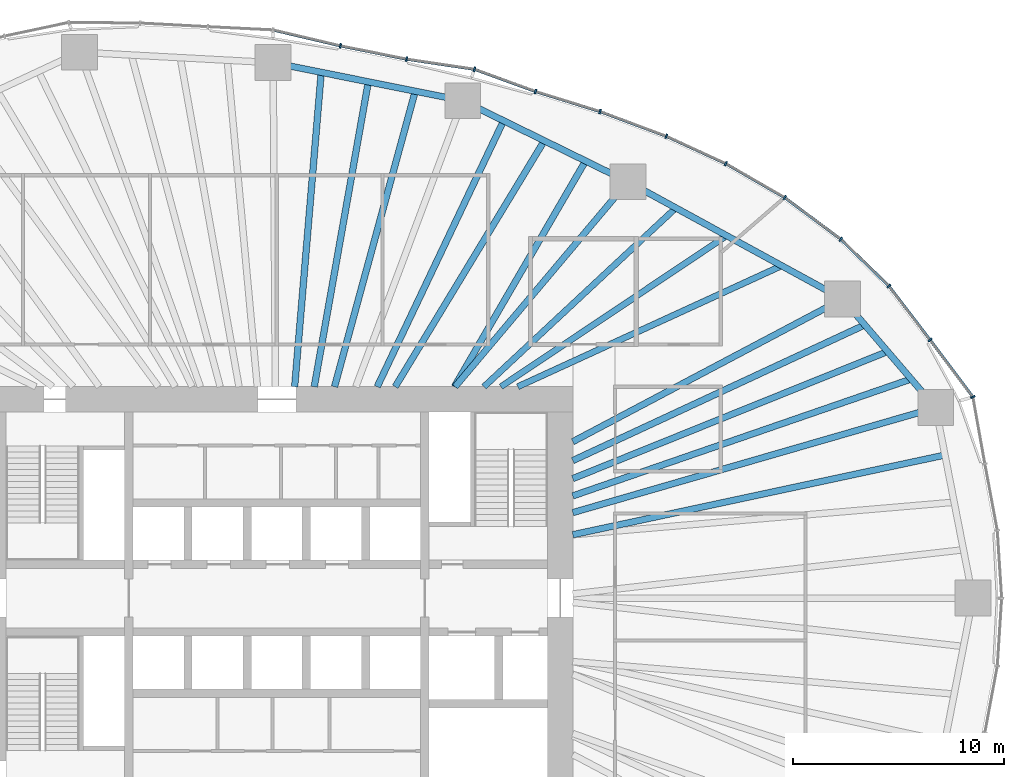
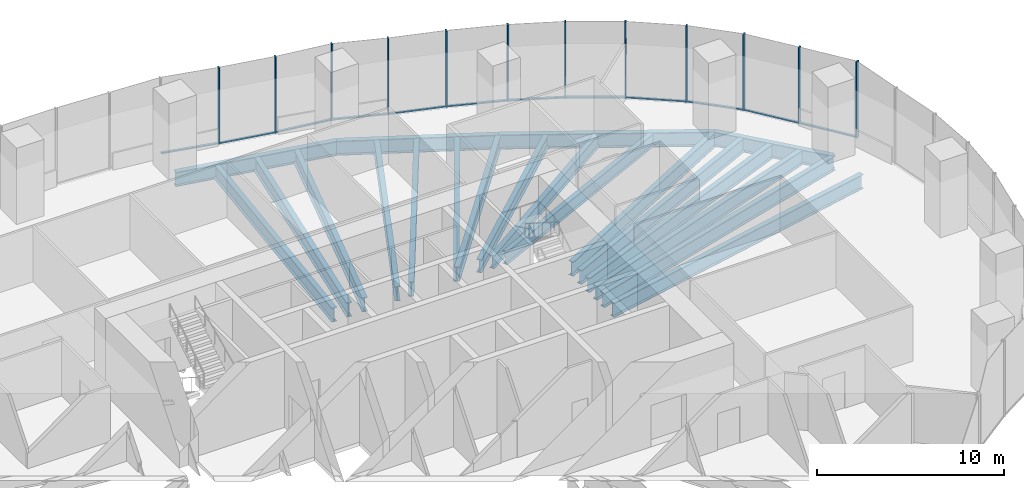
# One storey, part 6 of 20: 24 members, 20 beams, 4 elements without a shape of their own.
"""IFC4 building model written with IfcOpenShell, lengths in metres."""

from ifc_helpers import new_model, si_unit, direction, frame, origin, origin_2d, place, context, subcontext, project, spatial, rectangle, i_section, extrude, material, material_profile, profile_set, type_object, element, aggregate, save


model = new_model("IFC4")

# Units and contexts
model_context = context("Model", 3, precision=1e-05, world=origin(), true_north=direction((0.0, 1.0)))
body_context = subcontext(model_context, "Body", "Model", "MODEL_VIEW")
ifc_project = project(units=[si_unit("LENGTHUNIT", "METRE"), si_unit("AREAUNIT", "SQUARE_METRE"), si_unit("VOLUMEUNIT", "CUBIC_METRE"), si_unit("PLANEANGLEUNIT", "RADIAN"), si_unit("MASSUNIT", "GRAM", prefix="KILO")], contexts=[model_context])

# Site, building, storey
site_placement = place(None, origin())
site = spatial("IfcSite", under=ifc_project, at=site_placement, CompositionType="ELEMENT")
building_placement = place(site_placement, origin())
building = spatial("IfcBuilding", under=site, at=building_placement, Name="Ghaith Harvest Tower", CompositionType="ELEMENT")
storey_placement = place(building_placement, frame((0.0, 0.0, 90.0)))
storey = spatial("IfcBuildingStorey", under=building, at=storey_placement, Name="L18", CompositionType="ELEMENT", Elevation=90.0)

# Curtain wall, members
ifc_material_1 = material(Name="Black anodised aluminium and fritted glass", Category="aluminium")
curtain_wall_type = type_object("IfcCurtainWallType", Name="CW-F CURTAIN WALL", PredefinedType="NOTDEFINED", material=ifc_material_1)
curtain_wall_1_placement = place(storey_placement, origin())
curtain_wall_1 = element("IfcCurtainWall", 1, at=curtain_wall_1_placement, inside=storey, type_object=curtain_wall_type, Name="Curtain wall CW-F bay 02 L18", PredefinedType="NOTDEFINED")
ifc_material_2 = material(Name="Aluminium, black anodised", Category="aluminium")
ifc_material_profile_1 = material_profile(ifc_material_2, rectangle(XDim=0.080078125, YDim=0.219970703125, at=origin_2d()), Name="CW-F MULLION 80x220")
ifc_profile_set_1 = profile_set([ifc_material_profile_1], Name="Aluminium, black anodised")
member_type_1 = type_object("IfcMemberType", Name="CW-F MULLION 80x220", PredefinedType="MULLION", material=ifc_profile_set_1)
member_1_placement = place(storey_placement, frame((32.923583984375, 9.515625, 0.0), z_axis=(0.0, 0.0, 1.0), x_axis=(-0.404701693729, 0.914448762421, 0.0)))
member_1 = element("IfcMember", 2, at=member_1_placement, type_object=member_type_1, Name="CW-F mullion 1 bay 02 L18", PredefinedType="MULLION", context=body_context, shape_type="SweptSolid", body=[
    extrude(rectangle(XDim=0.080078125, YDim=0.219970703125, at=origin_2d()), origin(), (0.0, 0.0, 1.0), 5.0),
])
member_2_placement = place(storey_placement, frame((30.896728515625, 12.215087890625, 0.0), z_axis=(0.0, 0.0, 1.0), x_axis=(-0.603948315345, 0.797023482961, 0.0)))
member_2 = element("IfcMember", 3, at=member_2_placement, type_object=member_type_1, Name="CW-F mullion 2 bay 02 L18", PredefinedType="MULLION", context=body_context, shape_type="SweptSolid", body=[
    extrude(rectangle(XDim=0.080078125, YDim=0.219970703125, at=origin_2d()), origin(), (0.0, 0.0, 1.0), 5.0),
])
member_3_placement = place(storey_placement, frame((28.947021484375, 14.763427734375, 0.0), z_axis=(0.0, 0.0, 1.0), x_axis=(-0.663604797296, 0.748083332929, 0.0)))
member_3 = element("IfcMember", 4, at=member_3_placement, type_object=member_type_1, Name="CW-F mullion 3 bay 02 L18", PredefinedType="MULLION", context=body_context, shape_type="SweptSolid", body=[
    extrude(rectangle(XDim=0.080078125, YDim=0.219970703125, at=origin_2d()), origin(), (0.0, 0.0, 1.0), 5.0),
])

curtain_wall_2_placement = place(storey_placement, origin())
curtain_wall_2 = element("IfcCurtainWall", 5, at=curtain_wall_2_placement, inside=storey, type_object=curtain_wall_type, Name="Curtain wall CW-F bay 03 L18", PredefinedType="NOTDEFINED")
member_4_placement = place(storey_placement, frame((26.673828125, 16.9755859375, 0.0), z_axis=(0.0, 0.0, 1.0), x_axis=(-0.762365981091, 0.647146127915, 0.0)))
member_4 = element("IfcMember", 6, at=member_4_placement, type_object=member_type_1, Name="CW-F mullion 1 bay 03 L18", PredefinedType="MULLION", context=body_context, shape_type="SweptSolid", body=[
    extrude(rectangle(XDim=0.080078125, YDim=0.219970703125, at=origin_2d()), origin(), (0.0, 0.0, 1.0), 5.0),
])
member_5_placement = place(storey_placement, frame((24.018310546875, 18.947265625, 0.0), z_axis=(0.0, 0.0, 1.0), x_axis=(-0.835443516723, 0.549576318963, 0.0)))
member_5 = element("IfcMember", 7, at=member_5_placement, type_object=member_type_1, Name="CW-F mullion 2 bay 03 L18", PredefinedType="MULLION", context=body_context, shape_type="SweptSolid", body=[
    extrude(rectangle(XDim=0.080078125, YDim=0.219970703125, at=origin_2d()), origin(), (0.0, 0.0, 1.0), 5.0),
])
member_6_placement = place(storey_placement, frame((21.2353515625, 20.552978515625, 0.0), z_axis=(0.0, 0.0, 1.0), x_axis=(-0.887896671642, 0.460042933308, 0.0)))
member_6 = element("IfcMember", 8, at=member_6_placement, type_object=member_type_1, Name="CW-F mullion 3 bay 03 L18", PredefinedType="MULLION", context=body_context, shape_type="SweptSolid", body=[
    extrude(rectangle(XDim=0.080078125, YDim=0.219970703125, at=origin_2d()), origin(), (0.0, 0.0, 1.0), 5.0),
])

curtain_wall_3_placement = place(storey_placement, origin())
curtain_wall_3 = element("IfcCurtainWall", 9, at=curtain_wall_3_placement, inside=storey, type_object=curtain_wall_type, Name="Curtain wall CW-F bay 04 L18", PredefinedType="NOTDEFINED")
member_7_placement = place(storey_placement, frame((18.422607421875, 21.8466796875, 0.0), z_axis=(0.0, 0.0, 1.0), x_axis=(-0.923910199252, 0.382609387912, 0.0)))
member_7 = element("IfcMember", 10, at=member_7_placement, type_object=member_type_1, Name="CW-F mullion 1 bay 04 L18", PredefinedType="MULLION", context=body_context, shape_type="SweptSolid", body=[
    extrude(rectangle(XDim=0.080078125, YDim=0.219970703125, at=origin_2d()), origin(), (0.0, 0.0, 1.0), 5.0),
])
member_8_placement = place(storey_placement, frame((15.28759765625, 23.01611328125, 0.0), z_axis=(0.0, 0.0, 1.0), x_axis=(-0.946121020954, 0.323813238933, 0.0)))
member_8 = element("IfcMember", 11, at=member_8_placement, type_object=member_type_1, Name="CW-F mullion 2 bay 04 L18", PredefinedType="MULLION", context=body_context, shape_type="SweptSolid", body=[
    extrude(rectangle(XDim=0.080078125, YDim=0.219970703125, at=origin_2d()), origin(), (0.0, 0.0, 1.0), 5.0),
])
member_9_placement = place(storey_placement, frame((12.234375, 23.964599609375, 0.0), z_axis=(0.0, 0.0, 1.0), x_axis=(-0.947653438436, 0.319300736957, 0.0)))
member_9 = element("IfcMember", 12, at=member_9_placement, type_object=member_type_1, Name="CW-F mullion 3 bay 04 L18", PredefinedType="MULLION", context=body_context, shape_type="SweptSolid", body=[
    extrude(rectangle(XDim=0.080078125, YDim=0.219970703125, at=origin_2d()), origin(), (0.0, 0.0, 1.0), 5.0),
])

curtain_wall_4_placement = place(storey_placement, origin())
curtain_wall_4 = element("IfcCurtainWall", 13, at=curtain_wall_4_placement, inside=storey, type_object=curtain_wall_type, Name="Curtain wall CW-F bay 05 L18", PredefinedType="NOTDEFINED")
member_10_placement = place(storey_placement, frame((9.351806640625, 25.01611328125, 0.0), z_axis=(0.0, 0.0, 1.0), x_axis=(-0.969903429236, 0.243489913461, 0.0)))
member_10 = element("IfcMember", 14, at=member_10_placement, type_object=member_type_1, Name="CW-F mullion 1 bay 05 L18", PredefinedType="MULLION", context=body_context, shape_type="SweptSolid", body=[
    extrude(rectangle(XDim=0.080078125, YDim=0.219970703125, at=origin_2d()), origin(), (0.0, 0.0, 1.0), 5.0),
])
member_11_placement = place(storey_placement, frame((6.136962890625, 25.495361328125, 0.0), z_axis=(0.0, 0.0, 1.0), x_axis=(-0.985103843977, 0.171960508788, 0.0)))
member_11 = element("IfcMember", 15, at=member_11_placement, type_object=member_type_1, Name="CW-F mullion 2 bay 05 L18", PredefinedType="MULLION", context=body_context, shape_type="SweptSolid", body=[
    extrude(rectangle(XDim=0.080078125, YDim=0.219970703125, at=origin_2d()), origin(), (0.0, 0.0, 1.0), 5.0),
])
member_12_placement = place(storey_placement, frame((3.00927734375, 26.123291015625, 0.0), z_axis=(0.0, 0.0, 1.0), x_axis=(-0.976927332869, 0.213571969822, 0.0)))
member_12 = element("IfcMember", 16, at=member_12_placement, type_object=member_type_1, Name="CW-F mullion 3 bay 05 L18", PredefinedType="MULLION", context=body_context, shape_type="SweptSolid", body=[
    extrude(rectangle(XDim=0.080078125, YDim=0.219970703125, at=origin_2d()), origin(), (0.0, 0.0, 1.0), 5.0),
])

# Member
ifc_material_3 = material(Name="Aluminium, black anodised", Category="aluminium")
ifc_material_profile_2 = material_profile(ifc_material_3, rectangle(XDim=0.139892578125, YDim=0.080078125, at=origin_2d()), Name="CW-F TRANSOM 140x80")
ifc_profile_set_2 = profile_set([ifc_material_profile_2], Name="Aluminium, black anodised")
member_type_2 = type_object("IfcMemberType", Name="CW-F TRANSOM 140x80", PredefinedType="USERDEFINED", material=ifc_profile_set_2)
member_13_placement = place(storey_placement, frame((32.899658203125, 9.547607421875, 0.0400390625), z_axis=(-0.600462135687, 0.799653189581, 0.0), x_axis=(-0.799653189581, -0.600462135687, 0.0)))
member_13 = element("IfcMember", 17, at=member_13_placement, type_object=member_type_2, Name="CW-F transom 1 bay 02 L18", ObjectType="TRANSOM", PredefinedType="USERDEFINED", context=body_context, shape_type="SweptSolid", body=[
    extrude(rectangle(XDim=0.139892578125, YDim=0.080078125, at=origin_2d()), origin(), (0.0, 0.0, 1.0), 3.2958984375),
])

member_14_placement = place(storey_placement, frame((30.87255859375, 12.246826171875, 0.0400390625), z_axis=(-0.607638356471, 0.794213842579, 0.0), x_axis=(-0.794213842579, -0.607638356471, 0.0)))
member_14 = element("IfcMember", 18, at=member_14_placement, type_object=member_type_2, Name="CW-F transom 2 bay 02 L18", ObjectType="TRANSOM", PredefinedType="USERDEFINED", context=body_context, shape_type="SweptSolid", body=[
    extrude(rectangle(XDim=0.139892578125, YDim=0.080078125, at=origin_2d()), origin(), (0.0, 0.0, 1.0), 3.128662109375),
])

member_15_placement = place(storey_placement, frame((28.91845703125, 14.791259765625, 0.0400390625), z_axis=(-0.71671313139, 0.697368114623, 0.0), x_axis=(-0.697368114623, -0.71671313139, 0.0)))
member_15 = element("IfcMember", 19, at=member_15_placement, type_object=member_type_2, Name="CW-F transom 3 bay 02 L18", ObjectType="TRANSOM", PredefinedType="USERDEFINED", context=body_context, shape_type="SweptSolid", body=[
    extrude(rectangle(XDim=0.139892578125, YDim=0.080078125, at=origin_2d()), origin(), (0.0, 0.0, 1.0), 3.092041015625),
])

aggregate(curtain_wall_1, [member_1, member_13, member_2, member_14, member_3, member_15])

member_16_placement = place(storey_placement, frame((26.641845703125, 16.999267578125, 0.0400390625), z_axis=(-0.802877287823, 0.596144328748, 0.0), x_axis=(-0.596144328748, -0.802877287823, 0.0)))
member_16 = element("IfcMember", 20, at=member_16_placement, type_object=member_type_2, Name="CW-F transom 1 bay 03 L18", ObjectType="TRANSOM", PredefinedType="USERDEFINED", context=body_context, shape_type="SweptSolid", body=[
    extrude(rectangle(XDim=0.139892578125, YDim=0.080078125, at=origin_2d()), origin(), (0.0, 0.0, 1.0), 3.2275390625),
])

member_17_placement = place(storey_placement, frame((23.983642578125, 18.96728515625, 0.0400390625), z_axis=(-0.866168719914, 0.499751686983, 0.0), x_axis=(-0.499751686983, -0.866168719914, 0.0)))
member_17 = element("IfcMember", 21, at=member_17_placement, type_object=member_type_2, Name="CW-F transom 2 bay 03 L18", ObjectType="TRANSOM", PredefinedType="USERDEFINED", context=body_context, shape_type="SweptSolid", body=[
    extrude(rectangle(XDim=0.139892578125, YDim=0.080078125, at=origin_2d()), origin(), (0.0, 0.0, 1.0), 3.1328125),
])

member_18_placement = place(storey_placement, frame((21.19921875, 20.56982421875, 0.0400390625), z_axis=(-0.908553137239, 0.417769310521, 0.0), x_axis=(-0.417769310521, -0.908553137239, 0.0)))
member_18 = element("IfcMember", 22, at=member_18_placement, type_object=member_type_2, Name="CW-F transom 3 bay 03 L18", ObjectType="TRANSOM", PredefinedType="USERDEFINED", context=body_context, shape_type="SweptSolid", body=[
    extrude(rectangle(XDim=0.139892578125, YDim=0.080078125, at=origin_2d()), origin(), (0.0, 0.0, 1.0), 3.01611328125),
])

aggregate(curtain_wall_2, [member_4, member_16, member_5, member_17, member_6, member_18])

member_19_placement = place(storey_placement, frame((18.385009765625, 21.860595703125, 0.0400390625), z_axis=(-0.936923785579, 0.349533717996, 0.0), x_axis=(-0.349533717996, -0.936923785579, 0.0)))
member_19 = element("IfcMember", 23, at=member_19_placement, type_object=member_type_2, Name="CW-F transom 1 bay 04 L18", ObjectType="TRANSOM", PredefinedType="USERDEFINED", context=body_context, shape_type="SweptSolid", body=[
    extrude(rectangle(XDim=0.139892578125, YDim=0.080078125, at=origin_2d()), origin(), (0.0, 0.0, 1.0), 3.26611328125),
])

member_20_placement = place(storey_placement, frame((15.249267578125, 23.028076171875, 0.0400390625), z_axis=(-0.954998362353, 0.296611071781, 0.0), x_axis=(-0.296611071781, -0.954998362353, 0.0)))
member_20 = element("IfcMember", 24, at=member_20_placement, type_object=member_type_2, Name="CW-F transom 2 bay 04 L18", ObjectType="TRANSOM", PredefinedType="USERDEFINED", context=body_context, shape_type="SweptSolid", body=[
    extrude(rectangle(XDim=0.139892578125, YDim=0.080078125, at=origin_2d()), origin(), (0.0, 0.0, 1.0), 3.1171875),
])

member_21_placement = place(storey_placement, frame((12.19677734375, 23.978271484375, 0.0400390625), z_axis=(-0.939437502081, 0.342720264478, 0.0), x_axis=(-0.342720264478, -0.939437502081, 0.0)))
member_21 = element("IfcMember", 25, at=member_21_placement, type_object=member_type_2, Name="CW-F transom 3 bay 04 L18", ObjectType="TRANSOM", PredefinedType="USERDEFINED", context=body_context, shape_type="SweptSolid", body=[
    extrude(rectangle(XDim=0.139892578125, YDim=0.080078125, at=origin_2d()), origin(), (0.0, 0.0, 1.0), 2.98828125),
])

aggregate(curtain_wall_3, [member_7, member_19, member_8, member_20, member_9, member_21])

member_22_placement = place(storey_placement, frame((9.312255859375, 25.02197265625, 0.0400390625), z_axis=(-0.989078238205, 0.147391447207, 0.0), x_axis=(-0.147391447207, -0.989078238205, 0.0)))
member_22 = element("IfcMember", 26, at=member_22_placement, type_object=member_type_2, Name="CW-F transom 1 bay 05 L18", ObjectType="TRANSOM", PredefinedType="USERDEFINED", context=body_context, shape_type="SweptSolid", body=[
    extrude(rectangle(XDim=0.139892578125, YDim=0.080078125, at=origin_2d()), origin(), (0.0, 0.0, 1.0), 3.17041015625),
])

member_23_placement = place(storey_placement, frame((6.097900390625, 25.503173828125, 0.0400390625), z_axis=(-0.980432471193, 0.196855707129, 0.0), x_axis=(-0.196855707129, -0.980432471193, 0.0)))
member_23 = element("IfcMember", 27, at=member_23_placement, type_object=member_type_2, Name="CW-F transom 2 bay 05 L18", ObjectType="TRANSOM", PredefinedType="USERDEFINED", context=body_context, shape_type="SweptSolid", body=[
    extrude(rectangle(XDim=0.139892578125, YDim=0.080078125, at=origin_2d()), origin(), (0.0, 0.0, 1.0), 3.1103515625),
])

member_24_placement = place(storey_placement, frame((2.97021484375, 26.132568359375, 0.0400390625), z_axis=(-0.973252867589, 0.229736491942, 0.0), x_axis=(-0.229736491942, -0.973252867589, 0.0)))
member_24 = element("IfcMember", 28, at=member_24_placement, type_object=member_type_2, Name="CW-F transom 3 bay 05 L18", ObjectType="TRANSOM", PredefinedType="USERDEFINED", context=body_context, shape_type="SweptSolid", body=[
    extrude(rectangle(XDim=0.139892578125, YDim=0.080078125, at=origin_2d()), origin(), (0.0, 0.0, 1.0), 3.200927734375),
])

aggregate(curtain_wall_4, [member_10, member_22, member_11, member_23, member_12, member_24])

# Beams
ifc_material_4 = material(Name="Steel ASTM A992 Grade 50", Category="steel")
ifc_material_profile_3 = material_profile(ifc_material_4, i_section(OverallWidth=0.306884765625, OverallDepth=0.94189453125, WebThickness=0.022216796875, FlangeThickness=0.039794921875, at=origin_2d()), Name="W920X345")
ifc_profile_set_3 = profile_set([ifc_material_profile_3], Name="Steel ASTM A992 Grade 50")
beam_type_1 = type_object("IfcBeamType", Name="E920-345 W920X345", PredefinedType="SPANDREL", material=ifc_profile_set_3)
beam_1_placement = place(storey_placement, frame((31.166015625, 9.008056640625, -0.6708984375), z_axis=(-0.65056255283, 0.759452674533, 0.0), x_axis=(-0.759452674533, -0.65056255283, 0.0)))
element("IfcBeam", 29, at=beam_1_placement, inside=storey, type_object=beam_type_1, Name="Edge beam E02 L18", PredefinedType="SPANDREL", context=body_context, shape_type="SweptSolid", body=[
    extrude(i_section(OverallWidth=0.306884765625, OverallDepth=0.94189453125, WebThickness=0.022216796875, FlangeThickness=0.039794921875, at=origin_2d()), origin(), (0.0, 0.0, 1.0), 6.7666015625),
])
beam_2_placement = place(storey_placement, frame((26.763916015625, 14.14697265625, -0.6708984375), z_axis=(-0.877588218279, 0.479415184509, 0.0), x_axis=(-0.479415184509, -0.877588218279, 0.0)))
element("IfcBeam", 30, at=beam_2_placement, inside=storey, type_object=beam_type_1, Name="Edge beam E03 L18", PredefinedType="SPANDREL", context=body_context, shape_type="SweptSolid", body=[
    extrude(i_section(OverallWidth=0.306884765625, OverallDepth=0.94189453125, WebThickness=0.022216796875, FlangeThickness=0.039794921875, at=origin_2d()), origin(), (0.0, 0.0, 1.0), 11.57275390625),
])
beam_3_placement = place(storey_placement, frame((16.60791015625, 19.695068359375, -0.6708984375), z_axis=(-0.897823733825, 0.440355019252, 0.0), x_axis=(-0.440355019252, -0.897823733825, 0.0)))
element("IfcBeam", 31, at=beam_3_placement, inside=storey, type_object=beam_type_1, Name="Edge beam E04 L18", PredefinedType="SPANDREL", context=body_context, shape_type="SweptSolid", body=[
    extrude(i_section(OverallWidth=0.306884765625, OverallDepth=0.94189453125, WebThickness=0.022216796875, FlangeThickness=0.039794921875, at=origin_2d()), origin(), (0.0, 0.0, 1.0), 8.7021484375),
])
beam_4_placement = place(storey_placement, frame((8.794921875, 23.527099609375, -0.6708984375), z_axis=(-0.980450082464, 0.196767974517, 0.0), x_axis=(-0.196767974517, -0.980450082464, 0.0)))
element("IfcBeam", 32, at=beam_4_placement, inside=storey, type_object=beam_type_1, Name="Edge beam E05 L18", PredefinedType="SPANDREL", context=body_context, shape_type="SweptSolid", body=[
    extrude(i_section(OverallWidth=0.306884765625, OverallDepth=0.94189453125, WebThickness=0.022216796875, FlangeThickness=0.039794921875, at=origin_2d()), origin(), (0.0, 0.0, 1.0), 9.146728515625),
])
ifc_material_5 = material(Name="Steel ASTM A992 Grade 50", Category="steel")
ifc_material_profile_4 = material_profile(ifc_material_5, i_section(OverallWidth=0.306884765625, OverallDepth=0.94189453125, WebThickness=0.022216796875, FlangeThickness=0.039794921875, at=origin_2d()), Name="W920X345")
ifc_profile_set_4 = profile_set([ifc_material_profile_4], Name="Steel ASTM A992 Grade 50")
beam_type_2 = type_object("IfcBeamType", Name="G920-345 W920X345", PredefinedType="BEAM", material=ifc_profile_set_4)
beam_5_placement = place(storey_placement, frame((14.0, 4.04638671875, -0.6708984375), z_axis=(0.960675395102, 0.277673882903, 0.0), x_axis=(-0.277673882903, 0.960675395102, 0.0)))
element("IfcBeam", 33, at=beam_5_placement, inside=storey, type_object=beam_type_2, Name="Radial girder G02 L18", PredefinedType="BEAM", context=body_context, shape_type="SweptSolid", body=[
    extrude(i_section(OverallWidth=0.306884765625, OverallDepth=0.94189453125, WebThickness=0.022216796875, FlangeThickness=0.039794921875, at=origin_2d()), origin(), (0.0, 0.0, 1.0), 17.86865234375),
])
beam_6_placement = place(storey_placement, frame((14.0, 7.39990234375, -0.6708984375), z_axis=(0.884082663971, 0.467330550324, 0.0), x_axis=(-0.467330550324, 0.884082663971, 0.0)))
element("IfcBeam", 34, at=beam_6_placement, inside=storey, type_object=beam_type_2, Name="Radial girder G03 L18", PredefinedType="BEAM", context=body_context, shape_type="SweptSolid", body=[
    extrude(i_section(OverallWidth=0.306884765625, OverallDepth=0.94189453125, WebThickness=0.022216796875, FlangeThickness=0.039794921875, at=origin_2d()), origin(), (0.0, 0.0, 1.0), 14.4375),
])
beam_7_placement = place(storey_placement, frame((8.4326171875, 10.0, -0.6708984375), z_axis=(0.644644245772, 0.764482698557, 0.0), x_axis=(-0.764482698557, 0.644644245772, 0.0)))
element("IfcBeam", 35, at=beam_7_placement, inside=storey, type_object=beam_type_2, Name="Radial girder G04 L18", PredefinedType="BEAM", context=body_context, shape_type="SweptSolid", body=[
    extrude(i_section(OverallWidth=0.306884765625, OverallDepth=0.94189453125, WebThickness=0.022216796875, FlangeThickness=0.039794921875, at=origin_2d()), origin(), (0.0, 0.0, 1.0), 12.681884765625),
])
ifc_material_6 = material(Name="Steel ASTM A992 Grade 50", Category="steel")
ifc_material_profile_5 = material_profile(ifc_material_6, i_section(OverallWidth=0.2939453125, OverallDepth=0.85107421875, WebThickness=0.01611328125, FlangeThickness=0.02685546875, at=origin_2d()), Name="W840X226")
ifc_profile_set_5 = profile_set([ifc_material_profile_5], Name="Steel ASTM A992 Grade 50")
beam_type_3 = type_object("IfcBeamType", Name="J840-226 W840X226", PredefinedType="JOIST", material=ifc_profile_set_5)
beam_8_placement = place(storey_placement, frame((11.39990234375, 10.0, -0.62548828125), z_axis=(0.909014022454, 0.416765529983, 0.0), x_axis=(-0.416765529983, 0.909014022454, 0.0)))
element("IfcBeam", 36, at=beam_8_placement, inside=storey, type_object=beam_type_3, Name="Joist J03.1 L18", PredefinedType="JOIST", context=body_context, shape_type="SweptSolid", body=[
    extrude(i_section(OverallWidth=0.2939453125, OverallDepth=0.85107421875, WebThickness=0.01611328125, FlangeThickness=0.02685546875, at=origin_2d()), origin(), (0.0, 0.0, 1.0), 13.72998046875),
])
beam_9_placement = place(storey_placement, frame((10.60009765625, 10.0, -0.62548828125), z_axis=(0.831116486766, 0.556098359489, 0.0), x_axis=(-0.556098359489, 0.831116486766, 0.0)))
element("IfcBeam", 37, at=beam_9_placement, inside=storey, type_object=beam_type_3, Name="Joist J03.2 L18", PredefinedType="JOIST", context=body_context, shape_type="SweptSolid", body=[
    extrude(i_section(OverallWidth=0.2939453125, OverallDepth=0.85107421875, WebThickness=0.01611328125, FlangeThickness=0.02685546875, at=origin_2d()), origin(), (0.0, 0.0, 1.0), 12.84716796875),
])
beam_10_placement = place(storey_placement, frame((9.800048828125, 10.0, -0.62548828125), z_axis=(0.731538123562, 0.681800538116, 0.0), x_axis=(-0.681800538116, 0.731538123562, 0.0)))
element("IfcBeam", 38, at=beam_10_placement, inside=storey, type_object=beam_type_3, Name="Joist J03.3 L18", PredefinedType="JOIST", context=body_context, shape_type="SweptSolid", body=[
    extrude(i_section(OverallWidth=0.2939453125, OverallDepth=0.85107421875, WebThickness=0.01611328125, FlangeThickness=0.02685546875, at=origin_2d()), origin(), (0.0, 0.0, 1.0), 12.404052734375),
])
ifc_material_7 = material(Name="Steel ASTM A992 Grade 50", Category="steel")
ifc_material_profile_6 = material_profile(ifc_material_7, i_section(OverallWidth=0.31005859375, OverallDepth=0.927001953125, WebThickness=0.019287109375, FlangeThickness=0.031982421875, at=origin_2d()), Name="W920X289")
ifc_profile_set_6 = profile_set([ifc_material_profile_6], Name="Steel ASTM A992 Grade 50")
beam_type_4 = type_object("IfcBeamType", Name="J920-289 W920X289", PredefinedType="JOIST", material=ifc_profile_set_6)
beam_11_placement = place(storey_placement, frame((14.0, 6.506103515625, -0.66357421875), z_axis=(0.906862619792, 0.421426374144, 0.0), x_axis=(-0.421426374144, 0.906862619792, 0.0)))
element("IfcBeam", 39, at=beam_11_placement, inside=storey, type_object=beam_type_4, Name="Joist J02.3 L18", PredefinedType="JOIST", context=body_context, shape_type="SweptSolid", body=[
    extrude(i_section(OverallWidth=0.31005859375, OverallDepth=0.927001953125, WebThickness=0.019287109375, FlangeThickness=0.031982421875, at=origin_2d()), origin(), (0.0, 0.0, 1.0), 15.229736328125),
])
beam_12_placement = place(storey_placement, frame((8.39990234375, 10.0, -0.66357421875), z_axis=(0.50228574324, 0.864701701246, 0.0), x_axis=(-0.864701701246, 0.50228574324, 0.0)))
element("IfcBeam", 40, at=beam_12_placement, inside=storey, type_object=beam_type_4, Name="Joist J04.1 L18", PredefinedType="JOIST", context=body_context, shape_type="SweptSolid", body=[
    extrude(i_section(OverallWidth=0.31005859375, OverallDepth=0.927001953125, WebThickness=0.019287109375, FlangeThickness=0.031982421875, at=origin_2d()), origin(), (0.0, 0.0, 1.0), 12.349365234375),
])
beam_13_placement = place(storey_placement, frame((5.60009765625, 10.0, -0.66357421875), z_axis=(0.518319612023, 0.85518698528, 0.0), x_axis=(-0.85518698528, 0.518319612023, 0.0)))
element("IfcBeam", 41, at=beam_13_placement, inside=storey, type_object=beam_type_4, Name="Joist J04.2 L18", PredefinedType="JOIST", context=body_context, shape_type="SweptSolid", body=[
    extrude(i_section(OverallWidth=0.31005859375, OverallDepth=0.927001953125, WebThickness=0.019287109375, FlangeThickness=0.031982421875, at=origin_2d()), origin(), (0.0, 0.0, 1.0), 13.60546875),
])
beam_14_placement = place(storey_placement, frame((4.75, 10.0, -0.66357421875), z_axis=(0.429059675117, 0.903276145588, 0.0), x_axis=(-0.903276145588, 0.429059675117, 0.0)))
element("IfcBeam", 42, at=beam_14_placement, inside=storey, type_object=beam_type_4, Name="Joist J04.3 L18", PredefinedType="JOIST", context=body_context, shape_type="SweptSolid", body=[
    extrude(i_section(OverallWidth=0.31005859375, OverallDepth=0.927001953125, WebThickness=0.019287109375, FlangeThickness=0.031982421875, at=origin_2d()), origin(), (0.0, 0.0, 1.0), 13.92724609375),
])
beam_15_placement = place(storey_placement, frame((2.73095703125, 10.0, -0.66357421875), z_axis=(0.263455282447, 0.964671609487, 0.0), x_axis=(-0.964671609487, 0.263455282447, 0.0)))
element("IfcBeam", 43, at=beam_15_placement, inside=storey, type_object=beam_type_4, Name="Joist J05.1 L18", PredefinedType="JOIST", context=body_context, shape_type="SweptSolid", body=[
    extrude(i_section(OverallWidth=0.31005859375, OverallDepth=0.927001953125, WebThickness=0.019287109375, FlangeThickness=0.031982421875, at=origin_2d()), origin(), (0.0, 0.0, 1.0), 14.48974609375),
])
beam_16_placement = place(storey_placement, frame((1.772705078125, 10.0, -0.66357421875), z_axis=(0.174552574354, 0.984647855218, 0.0), x_axis=(-0.984647855218, 0.174552574354, 0.0)))
element("IfcBeam", 44, at=beam_16_placement, inside=storey, type_object=beam_type_4, Name="Joist J05.2 L18", PredefinedType="JOIST", context=body_context, shape_type="SweptSolid", body=[
    extrude(i_section(OverallWidth=0.31005859375, OverallDepth=0.927001953125, WebThickness=0.019287109375, FlangeThickness=0.031982421875, at=origin_2d()), origin(), (0.0, 0.0, 1.0), 14.648193359375),
])
beam_17_placement = place(storey_placement, frame((0.844970703125, 10.0, -0.66357421875), z_axis=(0.084219252187, 0.996447247756, 0.0), x_axis=(-0.996447247756, 0.084219252187, 0.0)))
element("IfcBeam", 45, at=beam_17_placement, inside=storey, type_object=beam_type_4, Name="Joist J05.3 L18", PredefinedType="JOIST", context=body_context, shape_type="SweptSolid", body=[
    extrude(i_section(OverallWidth=0.31005859375, OverallDepth=0.927001953125, WebThickness=0.019287109375, FlangeThickness=0.031982421875, at=origin_2d()), origin(), (0.0, 0.0, 1.0), 14.92333984375),
])
ifc_material_8 = material(Name="Steel ASTM A992 Grade 50", Category="steel")
ifc_material_profile_7 = material_profile(ifc_material_8, i_section(OverallWidth=0.306884765625, OverallDepth=0.94189453125, WebThickness=0.022216796875, FlangeThickness=0.039794921875, at=origin_2d()), Name="W920X345")
ifc_profile_set_7 = profile_set([ifc_material_profile_7], Name="Steel ASTM A992 Grade 50")
beam_type_5 = type_object("IfcBeamType", Name="J920-345 W920X345", PredefinedType="JOIST", material=ifc_profile_set_7)
beam_18_placement = place(storey_placement, frame((14.0, 3.0, -0.6708984375), z_axis=(0.977831380626, 0.209393865869, 0.0), x_axis=(-0.209393865869, 0.977831380626, 0.0)))
element("IfcBeam", 46, at=beam_18_placement, inside=storey, type_object=beam_type_5, Name="Joist J01.3 L18", PredefinedType="JOIST", context=body_context, shape_type="SweptSolid", body=[
    extrude(i_section(OverallWidth=0.306884765625, OverallDepth=0.94189453125, WebThickness=0.022216796875, FlangeThickness=0.039794921875, at=origin_2d()), origin(), (0.0, 0.0, 1.0), 18.002197265625),
])
beam_19_placement = place(storey_placement, frame((14.0, 4.835693359375, -0.6708984375), z_axis=(0.945204767809, 0.326478095607, 0.0), x_axis=(-0.326478095607, 0.945204767809, 0.0)))
element("IfcBeam", 47, at=beam_19_placement, inside=storey, type_object=beam_type_5, Name="Joist J02.1 L18", PredefinedType="JOIST", context=body_context, shape_type="SweptSolid", body=[
    extrude(i_section(OverallWidth=0.306884765625, OverallDepth=0.94189453125, WebThickness=0.022216796875, FlangeThickness=0.039794921875, at=origin_2d()), origin(), (0.0, 0.0, 1.0), 16.932373046875),
])
beam_20_placement = place(storey_placement, frame((14.0, 5.653564453125, -0.6708984375), z_axis=(0.927252192145, 0.374437407536, 0.0), x_axis=(-0.374437407536, 0.927252192145, 0.0)))
element("IfcBeam", 48, at=beam_20_placement, inside=storey, type_object=beam_type_5, Name="Joist J02.2 L18", PredefinedType="JOIST", context=body_context, shape_type="SweptSolid", body=[
    extrude(i_section(OverallWidth=0.306884765625, OverallDepth=0.94189453125, WebThickness=0.022216796875, FlangeThickness=0.039794921875, at=origin_2d()), origin(), (0.0, 0.0, 1.0), 16.057373046875),
])

save(model, "model.ifc")
